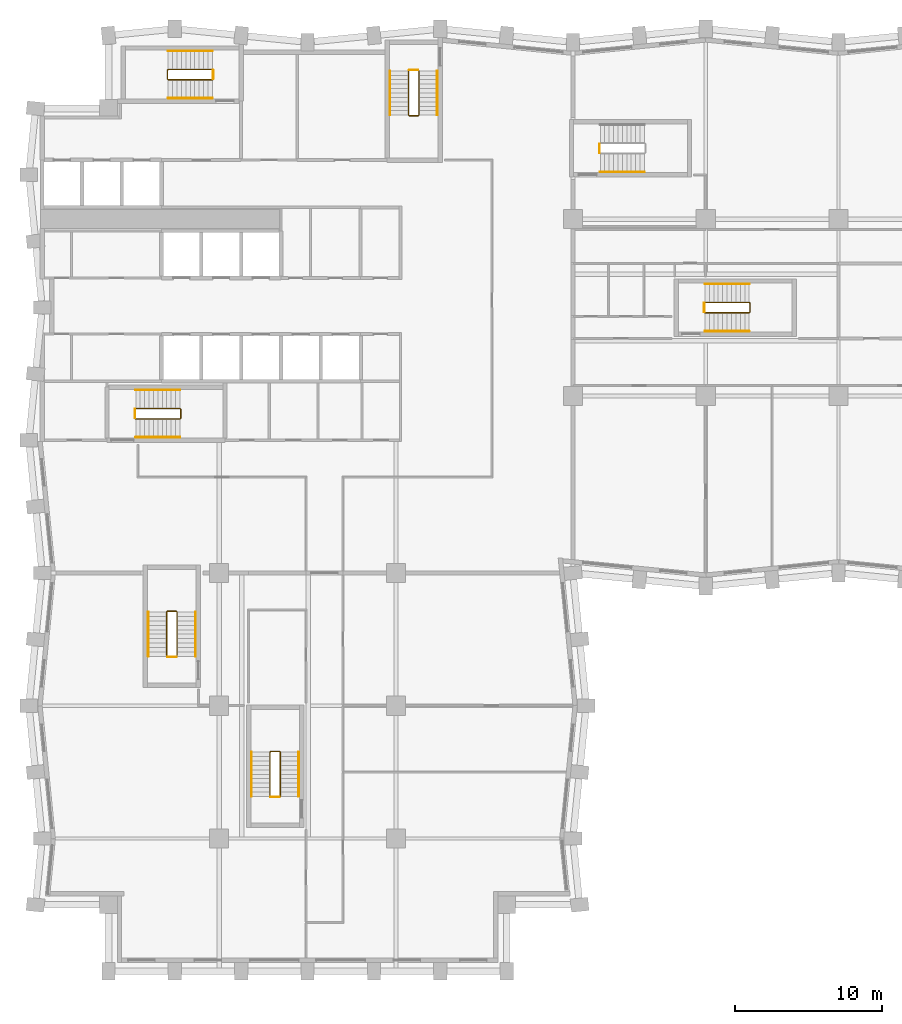
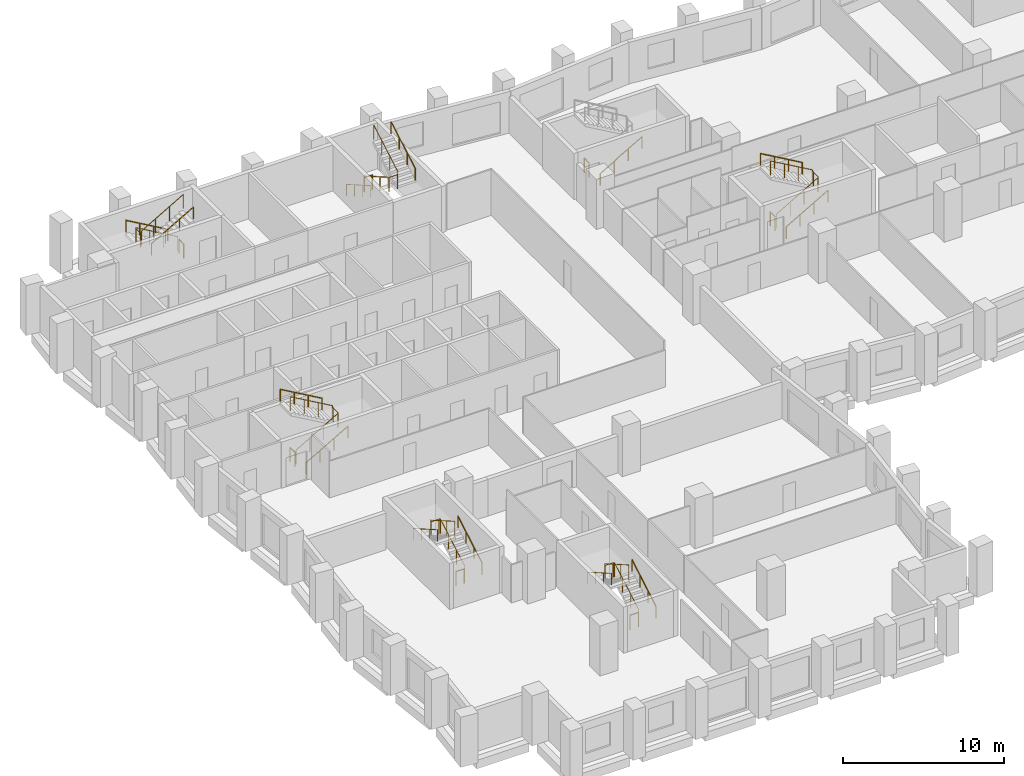
# One storey, part 10 of 11: 26 railings.
"""IFC4 building model written with IfcOpenShell, lengths in metres."""

from ifc_helpers import new_model, si_unit, direction, frame, origin, origin_2d, place, context, subcontext, project, spatial, circle, extrude, material, type_object, element, save


model = new_model("IFC4")

# Units and contexts
model_context = context("Model", 3, precision=1e-05, world=origin(), true_north=direction((0.0, 1.0)))
body_context = subcontext(model_context, "Body", "Model", "MODEL_VIEW")
ifc_project = project(units=[si_unit("LENGTHUNIT", "METRE"), si_unit("AREAUNIT", "SQUARE_METRE"), si_unit("VOLUMEUNIT", "CUBIC_METRE"), si_unit("PLANEANGLEUNIT", "RADIAN"), si_unit("MASSUNIT", "GRAM", prefix="KILO")], contexts=[model_context])

# Site, building, storey
site_placement = place(None, origin())
site = spatial("IfcSite", under=ifc_project, at=site_placement, CompositionType="ELEMENT")
building_placement = place(site_placement, origin())
building = spatial("IfcBuilding", under=site, at=building_placement, Name="Brondeck Convention Tower", CompositionType="ELEMENT")
storey_placement = place(building_placement, frame((0.0, 0.0, 96.10009765625)))
storey = spatial("IfcBuildingStorey", under=building, at=storey_placement, Name="L22", CompositionType="ELEMENT", Elevation=96.10009765625)

# Railings
ifc_material = material(Name="Steel S355", Category="steel")
railing_type_1 = type_object("IfcRailingType", Name="Stair guard 1100", PredefinedType="GUARDRAIL", material=ifc_material)
railing_1_placement = place(storey_placement, frame((6.35009765625, 37.449951171875, 0.172607421875)))
element("IfcRailing", 1, at=railing_1_placement, inside=storey, type_object=railing_type_1, Name="L22 ST-1 stair guard 1", PredefinedType="GUARDRAIL", context=body_context, shape_type="SweptSolid", body=[
    extrude(circle(Radius=0.02392578125, at=origin_2d()), frame((0.0, 0.0, 1.076171875), z_axis=(0.866619684472, 0.0, 0.498969260062), x_axis=(0.0, 1.0, 0.0)), (0.0, 0.0, 1.0), 3.461669921875),
    extrude(circle(Radius=0.02392578125, at=origin_2d()), frame((3.0, 0.0, 2.80322265625), z_axis=(0.705375805398, 0.708833529934, 0.0), x_axis=(-0.708833529934, 0.705375805398, 0.0)), (0.0, 0.0, 1.0), 0.070556640625),
    extrude(circle(Radius=0.02392578125, at=origin_2d()), frame((3.0498046875, 0.050048828125, 2.80322265625), z_axis=(0.0, 1.0, 0.0), x_axis=(-1.0, 0.0, 0.0)), (0.0, 0.0, 1.0), 0.60009765625),
    extrude(circle(Radius=0.02392578125, at=origin_2d()), frame((3.0498046875, 0.650146484375, 2.80322265625), z_axis=(-0.26715648603, 0.26715648603, 0.925880566782), x_axis=(-0.707106781187, -0.707106781187, 0.0)), (0.0, 0.0, 1.0), 0.1865234375),
    extrude(circle(Radius=0.02392578125, at=origin_2d()), frame((3.0, 0.699951171875, 2.97607421875), z_axis=(-0.866619684472, 0.0, 0.498969260062), x_axis=(0.0, -1.0, 0.0)), (0.0, 0.0, 1.0), 3.461669921875),
    extrude(circle(Radius=0.02099609375, at=origin_2d()), origin(), (0.0, 0.0, 1.0), 1.052001953125),
    extrude(circle(Radius=0.02099609375, at=origin_2d()), frame((1.0, 0.0, 0.57568359375)), (0.0, 0.0, 1.0), 1.052001953125),
    extrude(circle(Radius=0.02099609375, at=origin_2d()), frame((2.0, 0.0, 1.151611328125)), (0.0, 0.0, 1.0), 1.052001953125),
    extrude(circle(Radius=0.02099609375, at=origin_2d()), frame((3.0, 0.0, 1.727294921875)), (0.0, 0.0, 1.0), 1.052001953125),
    extrude(circle(Radius=0.02099609375, at=origin_2d()), frame((3.0498046875, 0.050048828125, 1.727294921875)), (0.0, 0.0, 1.0), 1.052001953125),
    extrude(circle(Radius=0.02099609375, at=origin_2d()), frame((3.0498046875, 0.650146484375, 1.727294921875)), (0.0, 0.0, 1.0), 1.052001953125),
    extrude(circle(Radius=0.02099609375, at=origin_2d()), frame((3.0, 0.699951171875, 1.89990234375)), (0.0, 0.0, 1.0), 1.052001953125),
    extrude(circle(Radius=0.02099609375, at=origin_2d()), frame((2.0, 0.699951171875, 2.4755859375)), (0.0, 0.0, 1.0), 1.052001953125),
    extrude(circle(Radius=0.02099609375, at=origin_2d()), frame((1.0, 0.699951171875, 3.051513671875)), (0.0, 0.0, 1.0), 1.052001953125),
    extrude(circle(Radius=0.02099609375, at=origin_2d()), frame((0.0, 0.699951171875, 3.627197265625)), (0.0, 0.0, 1.0), 1.052001953125),
])
railing_2_placement = place(storey_placement, frame((6.300048828125, 37.5, 0.0)))
element("IfcRailing", 2, at=railing_2_placement, inside=storey, type_object=railing_type_1, Name="L22 ST-1 stair guard 2", PredefinedType="GUARDRAIL", context=body_context, shape_type="SweptSolid", body=[
    extrude(circle(Radius=0.02392578125, at=origin_2d()), frame((0.0, 0.0, 1.076171875), z_axis=(0.0, 1.0, 0.0), x_axis=(-1.0, 0.0, 0.0)), (0.0, 0.0, 1.0), 0.60009765625),
    extrude(circle(Radius=0.02099609375, at=origin_2d()), origin(), (0.0, 0.0, 1.0), 1.052001953125),
    extrude(circle(Radius=0.02099609375, at=origin_2d()), frame((0.0, 0.60009765625, 0.0)), (0.0, 0.0, 1.0), 1.052001953125),
])
railing_3_placement = place(storey_placement, frame((24.85009765625, 61.050048828125, 0.172607421875)))
element("IfcRailing", 3, at=railing_3_placement, inside=storey, type_object=railing_type_1, Name="L22 ST-2 stair guard 1", PredefinedType="GUARDRAIL", context=body_context, shape_type="SweptSolid", body=[
    extrude(circle(Radius=0.02392578125, at=origin_2d()), frame((0.0, 0.0, 1.076171875), z_axis=(0.0, -0.866619684472, 0.498969260062), x_axis=(1.0, 0.0, 0.0)), (0.0, 0.0, 1.0), 3.461669921875),
    extrude(circle(Radius=0.02392578125, at=origin_2d()), frame((0.0, -3.0, 2.80322265625), z_axis=(0.705375805398, -0.708833529934, 0.0), x_axis=(0.708833529934, 0.705375805398, 0.0)), (0.0, 0.0, 1.0), 0.070556640625),
    extrude(circle(Radius=0.02392578125, at=origin_2d()), frame((0.0498046875, -3.050048828125, 2.80322265625), z_axis=(1.0, 0.0, 0.0), x_axis=(0.0, 1.0, 0.0)), (0.0, 0.0, 1.0), 0.60009765625),
    extrude(circle(Radius=0.02392578125, at=origin_2d()), frame((0.64990234375, -3.050048828125, 2.80322265625), z_axis=(0.268277960024, 0.268277960024, 0.925231793839), x_axis=(-0.707106781187, 0.707106781187, 0.0)), (0.0, 0.0, 1.0), 0.1865234375),
    extrude(circle(Radius=0.02392578125, at=origin_2d()), frame((0.699951171875, -3.0, 2.97607421875), z_axis=(0.0, 0.866619684472, 0.498969260062), x_axis=(-1.0, 0.0, 0.0)), (0.0, 0.0, 1.0), 3.461669921875),
    extrude(circle(Radius=0.02099609375, at=origin_2d()), origin(), (0.0, 0.0, 1.0), 1.052001953125),
    extrude(circle(Radius=0.02099609375, at=origin_2d()), frame((0.0, -1.0, 0.57568359375)), (0.0, 0.0, 1.0), 1.052001953125),
    extrude(circle(Radius=0.02099609375, at=origin_2d()), frame((0.0, -2.0, 1.151611328125)), (0.0, 0.0, 1.0), 1.052001953125),
    extrude(circle(Radius=0.02099609375, at=origin_2d()), frame((0.0, -3.0, 1.727294921875)), (0.0, 0.0, 1.0), 1.052001953125),
    extrude(circle(Radius=0.02099609375, at=origin_2d()), frame((0.0498046875, -3.050048828125, 1.727294921875)), (0.0, 0.0, 1.0), 1.052001953125),
    extrude(circle(Radius=0.02099609375, at=origin_2d()), frame((0.64990234375, -3.050048828125, 1.727294921875)), (0.0, 0.0, 1.0), 1.052001953125),
    extrude(circle(Radius=0.02099609375, at=origin_2d()), frame((0.699951171875, -3.0, 1.89990234375)), (0.0, 0.0, 1.0), 1.052001953125),
    extrude(circle(Radius=0.02099609375, at=origin_2d()), frame((0.699951171875, -2.0, 2.4755859375)), (0.0, 0.0, 1.0), 1.052001953125),
    extrude(circle(Radius=0.02099609375, at=origin_2d()), frame((0.699951171875, -1.0, 3.051513671875)), (0.0, 0.0, 1.0), 1.052001953125),
    extrude(circle(Radius=0.02099609375, at=origin_2d()), frame((0.699951171875, 0.0, 3.627197265625)), (0.0, 0.0, 1.0), 1.052001953125),
])
railing_4_placement = place(storey_placement, frame((24.89990234375, 61.10009765625, 0.0)))
element("IfcRailing", 4, at=railing_4_placement, inside=storey, type_object=railing_type_1, Name="L22 ST-2 stair guard 2", PredefinedType="GUARDRAIL", context=body_context, shape_type="SweptSolid", body=[
    extrude(circle(Radius=0.02392578125, at=origin_2d()), frame((0.0, 0.0, 1.076171875), z_axis=(1.0, 0.0, 0.0), x_axis=(0.0, 1.0, 0.0)), (0.0, 0.0, 1.0), 0.60009765625),
    extrude(circle(Radius=0.02099609375, at=origin_2d()), origin(), (0.0, 0.0, 1.0), 1.052001953125),
    extrude(circle(Radius=0.02099609375, at=origin_2d()), frame((0.60009765625, 0.0, 0.0)), (0.0, 0.0, 1.0), 1.052001953125),
])
railing_5_placement = place(storey_placement, frame((11.550048828125, 61.14990234375, 0.172607421875)))
element("IfcRailing", 5, at=railing_5_placement, inside=storey, type_object=railing_type_1, Name="L22 ST-3 stair guard 1", PredefinedType="GUARDRAIL", context=body_context, shape_type="SweptSolid", body=[
    extrude(circle(Radius=0.02392578125, at=origin_2d()), frame((0.0, 0.0, 1.076171875), z_axis=(-0.866619684472, 0.0, 0.498969260062), x_axis=(0.0, -1.0, 0.0)), (0.0, 0.0, 1.0), 3.461669921875),
    extrude(circle(Radius=0.02392578125, at=origin_2d()), frame((-3.0, 0.0, 2.80322265625), z_axis=(-0.708833529934, -0.705375805398, 0.0), x_axis=(0.705375805398, -0.708833529934, 0.0)), (0.0, 0.0, 1.0), 0.070556640625),
    extrude(circle(Radius=0.02392578125, at=origin_2d()), frame((-3.050048828125, -0.0498046875, 2.80322265625), z_axis=(0.0, -1.0, 0.0), x_axis=(1.0, 0.0, 0.0)), (0.0, 0.0, 1.0), 0.60009765625),
    extrude(circle(Radius=0.02392578125, at=origin_2d()), frame((-3.050048828125, -0.64990234375, 2.80322265625), z_axis=(0.268277960024, -0.268277960024, 0.925231793839), x_axis=(0.707106781187, 0.707106781187, 0.0)), (0.0, 0.0, 1.0), 0.1865234375),
    extrude(circle(Radius=0.02392578125, at=origin_2d()), frame((-3.0, -0.699951171875, 2.97607421875), z_axis=(0.866619684472, 0.0, 0.498969260062), x_axis=(0.0, 1.0, 0.0)), (0.0, 0.0, 1.0), 3.461669921875),
    extrude(circle(Radius=0.02099609375, at=origin_2d()), origin(), (0.0, 0.0, 1.0), 1.052001953125),
    extrude(circle(Radius=0.02099609375, at=origin_2d()), frame((-1.0, 0.0, 0.57568359375)), (0.0, 0.0, 1.0), 1.052001953125),
    extrude(circle(Radius=0.02099609375, at=origin_2d()), frame((-2.0, 0.0, 1.151611328125)), (0.0, 0.0, 1.0), 1.052001953125),
    extrude(circle(Radius=0.02099609375, at=origin_2d()), frame((-3.0, 0.0, 1.727294921875)), (0.0, 0.0, 1.0), 1.052001953125),
    extrude(circle(Radius=0.02099609375, at=origin_2d()), frame((-3.050048828125, -0.0498046875, 1.727294921875)), (0.0, 0.0, 1.0), 1.052001953125),
    extrude(circle(Radius=0.02099609375, at=origin_2d()), frame((-3.050048828125, -0.64990234375, 1.727294921875)), (0.0, 0.0, 1.0), 1.052001953125),
    extrude(circle(Radius=0.02099609375, at=origin_2d()), frame((-3.0, -0.699951171875, 1.89990234375)), (0.0, 0.0, 1.0), 1.052001953125),
    extrude(circle(Radius=0.02099609375, at=origin_2d()), frame((-2.0, -0.699951171875, 2.4755859375)), (0.0, 0.0, 1.0), 1.052001953125),
    extrude(circle(Radius=0.02099609375, at=origin_2d()), frame((-1.0, -0.699951171875, 3.051513671875)), (0.0, 0.0, 1.0), 1.052001953125),
    extrude(circle(Radius=0.02099609375, at=origin_2d()), frame((0.0, -0.699951171875, 3.627197265625)), (0.0, 0.0, 1.0), 1.052001953125),
])
railing_6_placement = place(storey_placement, frame((11.60009765625, 61.10009765625, 0.0)))
element("IfcRailing", 6, at=railing_6_placement, inside=storey, type_object=railing_type_1, Name="L22 ST-3 stair guard 2", PredefinedType="GUARDRAIL", context=body_context, shape_type="SweptSolid", body=[
    extrude(circle(Radius=0.02392578125, at=origin_2d()), frame((0.0, 0.0, 1.076171875), z_axis=(0.0, -1.0, 0.0), x_axis=(1.0, 0.0, 0.0)), (0.0, 0.0, 1.0), 0.60009765625),
    extrude(circle(Radius=0.02099609375, at=origin_2d()), origin(), (0.0, 0.0, 1.0), 1.052001953125),
    extrude(circle(Radius=0.02099609375, at=origin_2d()), frame((0.0, -0.60009765625, 0.0)), (0.0, 0.0, 1.0), 1.052001953125),
])
railing_7_placement = place(storey_placement, frame((37.800048828125, 55.5, 0.0)))
element("IfcRailing", 7, at=railing_7_placement, inside=storey, type_object=railing_type_1, Name="L22 ST-AE stair guard 2", PredefinedType="GUARDRAIL", context=body_context, shape_type="SweptSolid", body=[
    extrude(circle(Radius=0.02392578125, at=origin_2d()), frame((0.0, 0.0, 1.076171875), z_axis=(0.0, 1.0, 0.0), x_axis=(-1.0, 0.0, 0.0)), (0.0, 0.0, 1.0), 0.60009765625),
    extrude(circle(Radius=0.02099609375, at=origin_2d()), origin(), (0.0, 0.0, 1.0), 1.052001953125),
    extrude(circle(Radius=0.02099609375, at=origin_2d()), frame((0.0, 0.60009765625, 0.0)), (0.0, 0.0, 1.0), 1.052001953125),
])
railing_8_placement = place(storey_placement, frame((9.14990234375, 21.35009765625, 0.172607421875)))
element("IfcRailing", 8, at=railing_8_placement, inside=storey, type_object=railing_type_1, Name="L22 ST-BE stair guard 1", PredefinedType="GUARDRAIL", context=body_context, shape_type="SweptSolid", body=[
    extrude(circle(Radius=0.02392578125, at=origin_2d()), frame((0.0, 0.0, 1.076171875), z_axis=(0.0, 0.866619684472, 0.498969260062), x_axis=(-1.0, 0.0, 0.0)), (0.0, 0.0, 1.0), 3.461669921875),
    extrude(circle(Radius=0.02392578125, at=origin_2d()), frame((0.0, 3.0, 2.80322265625), z_axis=(-0.707106781187, 0.707106781187, 0.0), x_axis=(-0.707106781187, -0.707106781187, 0.0)), (0.0, 0.0, 1.0), 0.0703125),
    extrude(circle(Radius=0.02392578125, at=origin_2d()), frame((-0.0498046875, 3.0498046875, 2.80322265625), z_axis=(-1.0, 0.0, 0.0), x_axis=(0.0, -1.0, 0.0)), (0.0, 0.0, 1.0), 0.60009765625),
    extrude(circle(Radius=0.02392578125, at=origin_2d()), frame((-0.64990234375, 3.0498046875, 2.80322265625), z_axis=(-0.268371968888, -0.267062837333, 0.925556009775), x_axis=(0.705375805398, -0.708833529934, 0.0)), (0.0, 0.0, 1.0), 0.1865234375),
    extrude(circle(Radius=0.02392578125, at=origin_2d()), frame((-0.699951171875, 3.0, 2.97607421875), z_axis=(0.0, -0.866619684472, 0.498969260062), x_axis=(1.0, 0.0, 0.0)), (0.0, 0.0, 1.0), 3.461669921875),
    extrude(circle(Radius=0.02099609375, at=origin_2d()), origin(), (0.0, 0.0, 1.0), 1.052001953125),
    extrude(circle(Radius=0.02099609375, at=origin_2d()), frame((0.0, 1.0, 0.57568359375)), (0.0, 0.0, 1.0), 1.052001953125),
    extrude(circle(Radius=0.02099609375, at=origin_2d()), frame((0.0, 2.0, 1.151611328125)), (0.0, 0.0, 1.0), 1.052001953125),
    extrude(circle(Radius=0.02099609375, at=origin_2d()), frame((0.0, 3.0, 1.727294921875)), (0.0, 0.0, 1.0), 1.052001953125),
    extrude(circle(Radius=0.02099609375, at=origin_2d()), frame((-0.0498046875, 3.0498046875, 1.727294921875)), (0.0, 0.0, 1.0), 1.052001953125),
    extrude(circle(Radius=0.02099609375, at=origin_2d()), frame((-0.64990234375, 3.0498046875, 1.727294921875)), (0.0, 0.0, 1.0), 1.052001953125),
    extrude(circle(Radius=0.02099609375, at=origin_2d()), frame((-0.699951171875, 3.0, 1.89990234375)), (0.0, 0.0, 1.0), 1.052001953125),
    extrude(circle(Radius=0.02099609375, at=origin_2d()), frame((-0.699951171875, 2.0, 2.4755859375)), (0.0, 0.0, 1.0), 1.052001953125),
    extrude(circle(Radius=0.02099609375, at=origin_2d()), frame((-0.699951171875, 1.0, 3.051513671875)), (0.0, 0.0, 1.0), 1.052001953125),
    extrude(circle(Radius=0.02099609375, at=origin_2d()), frame((-0.699951171875, 0.0, 3.627197265625)), (0.0, 0.0, 1.0), 1.052001953125),
])
railing_9_placement = place(storey_placement, frame((9.10009765625, 21.300048828125, 0.0)))
element("IfcRailing", 9, at=railing_9_placement, inside=storey, type_object=railing_type_1, Name="L22 ST-BE stair guard 2", PredefinedType="GUARDRAIL", context=body_context, shape_type="SweptSolid", body=[
    extrude(circle(Radius=0.02392578125, at=origin_2d()), frame((0.0, 0.0, 1.076171875), z_axis=(-1.0, 0.0, 0.0), x_axis=(0.0, -1.0, 0.0)), (0.0, 0.0, 1.0), 0.60009765625),
    extrude(circle(Radius=0.02099609375, at=origin_2d()), origin(), (0.0, 0.0, 1.0), 1.052001953125),
    extrude(circle(Radius=0.02099609375, at=origin_2d()), frame((-0.60009765625, 0.0, 0.0)), (0.0, 0.0, 1.0), 1.052001953125),
])
railing_10_placement = place(storey_placement, frame((44.949951171875, 44.64990234375, 0.172607421875)))
element("IfcRailing", 10, at=railing_10_placement, inside=storey, type_object=railing_type_1, Name="L22 ST-AF stair guard 1", PredefinedType="GUARDRAIL", context=body_context, shape_type="SweptSolid", body=[
    extrude(circle(Radius=0.02392578125, at=origin_2d()), frame((0.0, 0.0, 1.076171875), z_axis=(0.866619684472, 0.0, 0.498969260062), x_axis=(0.0, 1.0, 0.0)), (0.0, 0.0, 1.0), 3.461669921875),
    extrude(circle(Radius=0.02392578125, at=origin_2d()), frame((3.0, 0.0, 2.80322265625), z_axis=(0.707106781187, 0.707106781187, 0.0), x_axis=(-0.707106781187, 0.707106781187, 0.0)), (0.0, 0.0, 1.0), 0.07080078125),
    extrude(circle(Radius=0.02392578125, at=origin_2d()), frame((3.050048828125, 0.050048828125, 2.80322265625), z_axis=(0.0, 1.0, 0.0), x_axis=(-1.0, 0.0, 0.0)), (0.0, 0.0, 1.0), 0.60009765625),
    extrude(circle(Radius=0.02392578125, at=origin_2d()), frame((3.050048828125, 0.650146484375, 2.80322265625), z_axis=(-0.268277960024, 0.268277960024, 0.925231793839), x_axis=(-0.707106781187, -0.707106781187, 0.0)), (0.0, 0.0, 1.0), 0.1865234375),
    extrude(circle(Radius=0.02392578125, at=origin_2d()), frame((3.0, 0.7001953125, 2.97607421875), z_axis=(-0.866619684472, 0.0, 0.498969260062), x_axis=(0.0, -1.0, 0.0)), (0.0, 0.0, 1.0), 3.461669921875),
    extrude(circle(Radius=0.02099609375, at=origin_2d()), origin(), (0.0, 0.0, 1.0), 1.052001953125),
    extrude(circle(Radius=0.02099609375, at=origin_2d()), frame((1.0, 0.0, 0.57568359375)), (0.0, 0.0, 1.0), 1.052001953125),
    extrude(circle(Radius=0.02099609375, at=origin_2d()), frame((2.0, 0.0, 1.151611328125)), (0.0, 0.0, 1.0), 1.052001953125),
    extrude(circle(Radius=0.02099609375, at=origin_2d()), frame((3.0, 0.0, 1.727294921875)), (0.0, 0.0, 1.0), 1.052001953125),
    extrude(circle(Radius=0.02099609375, at=origin_2d()), frame((3.050048828125, 0.050048828125, 1.727294921875)), (0.0, 0.0, 1.0), 1.052001953125),
    extrude(circle(Radius=0.02099609375, at=origin_2d()), frame((3.050048828125, 0.650146484375, 1.727294921875)), (0.0, 0.0, 1.0), 1.052001953125),
    extrude(circle(Radius=0.02099609375, at=origin_2d()), frame((3.0, 0.7001953125, 1.89990234375)), (0.0, 0.0, 1.0), 1.052001953125),
    extrude(circle(Radius=0.02099609375, at=origin_2d()), frame((2.0, 0.7001953125, 2.4755859375)), (0.0, 0.0, 1.0), 1.052001953125),
    extrude(circle(Radius=0.02099609375, at=origin_2d()), frame((1.0, 0.7001953125, 3.051513671875)), (0.0, 0.0, 1.0), 1.052001953125),
    extrude(circle(Radius=0.02099609375, at=origin_2d()), frame((0.0, 0.7001953125, 3.627197265625)), (0.0, 0.0, 1.0), 1.052001953125),
])
railing_11_placement = place(storey_placement, frame((44.89990234375, 44.699951171875, 0.0)))
element("IfcRailing", 11, at=railing_11_placement, inside=storey, type_object=railing_type_1, Name="L22 ST-AF stair guard 2", PredefinedType="GUARDRAIL", context=body_context, shape_type="SweptSolid", body=[
    extrude(circle(Radius=0.02392578125, at=origin_2d()), frame((0.0, 0.0, 1.076171875), z_axis=(0.0, 1.0, 0.0), x_axis=(-1.0, 0.0, 0.0)), (0.0, 0.0, 1.0), 0.60009765625),
    extrude(circle(Radius=0.02099609375, at=origin_2d()), origin(), (0.0, 0.0, 1.0), 1.052001953125),
    extrude(circle(Radius=0.02099609375, at=origin_2d()), frame((0.0, 0.60009765625, 0.0)), (0.0, 0.0, 1.0), 1.052001953125),
])
railing_12_placement = place(storey_placement, frame((16.14990234375, 11.85009765625, 0.172607421875)))
element("IfcRailing", 12, at=railing_12_placement, inside=storey, type_object=railing_type_1, Name="L22 ST-BF stair guard 1", PredefinedType="GUARDRAIL", context=body_context, shape_type="SweptSolid", body=[
    extrude(circle(Radius=0.02392578125, at=origin_2d()), frame((0.0, 0.0, 1.076171875), z_axis=(0.0, 0.866619684472, 0.498969260062), x_axis=(-1.0, 0.0, 0.0)), (0.0, 0.0, 1.0), 3.461669921875),
    extrude(circle(Radius=0.02392578125, at=origin_2d()), frame((0.0, 3.0, 2.80322265625), z_axis=(-0.707106781187, 0.707106781187, 0.0), x_axis=(-0.707106781187, -0.707106781187, 0.0)), (0.0, 0.0, 1.0), 0.0703125),
    extrude(circle(Radius=0.02392578125, at=origin_2d()), frame((-0.0498046875, 3.0498046875, 2.80322265625), z_axis=(-1.0, 0.0, 0.0), x_axis=(0.0, -1.0, 0.0)), (0.0, 0.0, 1.0), 0.60009765625),
    extrude(circle(Radius=0.02392578125, at=origin_2d()), frame((-0.64990234375, 3.0498046875, 2.80322265625), z_axis=(-0.268371968888, -0.267062837333, 0.925556009775), x_axis=(0.705375805398, -0.708833529934, 0.0)), (0.0, 0.0, 1.0), 0.1865234375),
    extrude(circle(Radius=0.02392578125, at=origin_2d()), frame((-0.699951171875, 3.0, 2.97607421875), z_axis=(0.0, -0.866619684472, 0.498969260062), x_axis=(1.0, 0.0, 0.0)), (0.0, 0.0, 1.0), 3.461669921875),
    extrude(circle(Radius=0.02099609375, at=origin_2d()), origin(), (0.0, 0.0, 1.0), 1.052001953125),
    extrude(circle(Radius=0.02099609375, at=origin_2d()), frame((0.0, 1.0, 0.57568359375)), (0.0, 0.0, 1.0), 1.052001953125),
    extrude(circle(Radius=0.02099609375, at=origin_2d()), frame((0.0, 2.0, 1.151611328125)), (0.0, 0.0, 1.0), 1.052001953125),
    extrude(circle(Radius=0.02099609375, at=origin_2d()), frame((0.0, 3.0, 1.727294921875)), (0.0, 0.0, 1.0), 1.052001953125),
    extrude(circle(Radius=0.02099609375, at=origin_2d()), frame((-0.0498046875, 3.0498046875, 1.727294921875)), (0.0, 0.0, 1.0), 1.052001953125),
    extrude(circle(Radius=0.02099609375, at=origin_2d()), frame((-0.64990234375, 3.0498046875, 1.727294921875)), (0.0, 0.0, 1.0), 1.052001953125),
    extrude(circle(Radius=0.02099609375, at=origin_2d()), frame((-0.699951171875, 3.0, 1.89990234375)), (0.0, 0.0, 1.0), 1.052001953125),
    extrude(circle(Radius=0.02099609375, at=origin_2d()), frame((-0.699951171875, 2.0, 2.4755859375)), (0.0, 0.0, 1.0), 1.052001953125),
    extrude(circle(Radius=0.02099609375, at=origin_2d()), frame((-0.699951171875, 1.0, 3.051513671875)), (0.0, 0.0, 1.0), 1.052001953125),
    extrude(circle(Radius=0.02099609375, at=origin_2d()), frame((-0.699951171875, 0.0, 3.627197265625)), (0.0, 0.0, 1.0), 1.052001953125),
])
railing_13_placement = place(storey_placement, frame((16.10009765625, 11.800048828125, 0.0)))
element("IfcRailing", 13, at=railing_13_placement, inside=storey, type_object=railing_type_1, Name="L22 ST-BF stair guard 2", PredefinedType="GUARDRAIL", context=body_context, shape_type="SweptSolid", body=[
    extrude(circle(Radius=0.02392578125, at=origin_2d()), frame((0.0, 0.0, 1.076171875), z_axis=(-1.0, 0.0, 0.0), x_axis=(0.0, -1.0, 0.0)), (0.0, 0.0, 1.0), 0.60009765625),
    extrude(circle(Radius=0.02099609375, at=origin_2d()), origin(), (0.0, 0.0, 1.0), 1.052001953125),
    extrude(circle(Radius=0.02099609375, at=origin_2d()), frame((-0.60009765625, 0.0, 0.0)), (0.0, 0.0, 1.0), 1.052001953125),
])
railing_type_2 = type_object("IfcRailingType", Name="Stair handrail", PredefinedType="HANDRAIL", material=ifc_material)
railing_14_placement = place(storey_placement, frame((6.35009765625, 36.199951171875, 0.172607421875)))
element("IfcRailing", 14, at=railing_14_placement, inside=storey, type_object=railing_type_2, Name="L22 ST-1 stair handrail 1", PredefinedType="HANDRAIL", context=body_context, shape_type="SweptSolid", body=[
    extrude(circle(Radius=0.02392578125, at=origin_2d()), frame((0.0, 0.0, 0.8759765625), z_axis=(0.866619684472, 0.0, 0.498969260062), x_axis=(0.0, 1.0, 0.0)), (0.0, 0.0, 1.0), 3.461669921875),
    extrude(circle(Radius=0.02099609375, at=origin_2d()), origin(), (0.0, 0.0, 1.0), 0.851806640625),
    extrude(circle(Radius=0.02099609375, at=origin_2d()), frame((1.0, 0.0, 0.57568359375)), (0.0, 0.0, 1.0), 0.851806640625),
    extrude(circle(Radius=0.02099609375, at=origin_2d()), frame((2.0, 0.0, 1.151611328125)), (0.0, 0.0, 1.0), 0.851806640625),
    extrude(circle(Radius=0.02099609375, at=origin_2d()), frame((3.0, 0.0, 1.727294921875)), (0.0, 0.0, 1.0), 0.851806640625),
])
railing_15_placement = place(storey_placement, frame((9.35009765625, 39.39990234375, 2.072509765625)))
element("IfcRailing", 15, at=railing_15_placement, inside=storey, type_object=railing_type_2, Name="L22 ST-1 stair handrail 2", PredefinedType="HANDRAIL", context=body_context, shape_type="SweptSolid", body=[
    extrude(circle(Radius=0.02392578125, at=origin_2d()), frame((0.0, 0.0, 0.8759765625), z_axis=(-0.866619684472, 0.0, 0.498969260062), x_axis=(0.0, -1.0, 0.0)), (0.0, 0.0, 1.0), 3.461669921875),
    extrude(circle(Radius=0.02099609375, at=origin_2d()), origin(), (0.0, 0.0, 1.0), 0.851806640625),
    extrude(circle(Radius=0.02099609375, at=origin_2d()), frame((-1.0, 0.0, 0.57568359375)), (0.0, 0.0, 1.0), 0.851806640625),
    extrude(circle(Radius=0.02099609375, at=origin_2d()), frame((-2.0, 0.0, 1.151611328125)), (0.0, 0.0, 1.0), 0.851806640625),
    extrude(circle(Radius=0.02099609375, at=origin_2d()), frame((-3.0, 0.0, 1.727294921875)), (0.0, 0.0, 1.0), 0.851806640625),
])
railing_16_placement = place(storey_placement, frame((23.60009765625, 61.050048828125, 0.172607421875)))
element("IfcRailing", 16, at=railing_16_placement, inside=storey, type_object=railing_type_2, Name="L22 ST-2 stair handrail 1", PredefinedType="HANDRAIL", context=body_context, shape_type="SweptSolid", body=[
    extrude(circle(Radius=0.02392578125, at=origin_2d()), frame((0.0, 0.0, 0.8759765625), z_axis=(0.0, -0.866619684472, 0.498969260062), x_axis=(1.0, 0.0, 0.0)), (0.0, 0.0, 1.0), 3.461669921875),
    extrude(circle(Radius=0.02099609375, at=origin_2d()), origin(), (0.0, 0.0, 1.0), 0.851806640625),
    extrude(circle(Radius=0.02099609375, at=origin_2d()), frame((0.0, -1.0, 0.57568359375)), (0.0, 0.0, 1.0), 0.851806640625),
    extrude(circle(Radius=0.02099609375, at=origin_2d()), frame((0.0, -2.0, 1.151611328125)), (0.0, 0.0, 1.0), 0.851806640625),
    extrude(circle(Radius=0.02099609375, at=origin_2d()), frame((0.0, -3.0, 1.727294921875)), (0.0, 0.0, 1.0), 0.851806640625),
])
railing_17_placement = place(storey_placement, frame((26.800048828125, 58.050048828125, 2.072509765625)))
element("IfcRailing", 17, at=railing_17_placement, inside=storey, type_object=railing_type_2, Name="L22 ST-2 stair handrail 2", PredefinedType="HANDRAIL", context=body_context, shape_type="SweptSolid", body=[
    extrude(circle(Radius=0.02392578125, at=origin_2d()), frame((0.0, 0.0, 0.8759765625), z_axis=(0.0, 0.866619684472, 0.498969260062), x_axis=(-1.0, 0.0, 0.0)), (0.0, 0.0, 1.0), 3.461669921875),
    extrude(circle(Radius=0.02099609375, at=origin_2d()), origin(), (0.0, 0.0, 1.0), 0.851806640625),
    extrude(circle(Radius=0.02099609375, at=origin_2d()), frame((0.0, 1.0, 0.57568359375)), (0.0, 0.0, 1.0), 0.851806640625),
    extrude(circle(Radius=0.02099609375, at=origin_2d()), frame((0.0, 2.0, 1.151611328125)), (0.0, 0.0, 1.0), 0.851806640625),
    extrude(circle(Radius=0.02099609375, at=origin_2d()), frame((0.0, 3.0, 1.727294921875)), (0.0, 0.0, 1.0), 0.851806640625),
])
railing_18_placement = place(storey_placement, frame((11.550048828125, 62.39990234375, 0.172607421875)))
element("IfcRailing", 18, at=railing_18_placement, inside=storey, type_object=railing_type_2, Name="L22 ST-3 stair handrail 1", PredefinedType="HANDRAIL", context=body_context, shape_type="SweptSolid", body=[
    extrude(circle(Radius=0.02392578125, at=origin_2d()), frame((0.0, 0.0, 0.8759765625), z_axis=(-0.866619684472, 0.0, 0.498969260062), x_axis=(0.0, -1.0, 0.0)), (0.0, 0.0, 1.0), 3.461669921875),
    extrude(circle(Radius=0.02099609375, at=origin_2d()), origin(), (0.0, 0.0, 1.0), 0.851806640625),
    extrude(circle(Radius=0.02099609375, at=origin_2d()), frame((-1.0, 0.0, 0.57568359375)), (0.0, 0.0, 1.0), 0.851806640625),
    extrude(circle(Radius=0.02099609375, at=origin_2d()), frame((-2.0, 0.0, 1.151611328125)), (0.0, 0.0, 1.0), 0.851806640625),
    extrude(circle(Radius=0.02099609375, at=origin_2d()), frame((-3.0, 0.0, 1.727294921875)), (0.0, 0.0, 1.0), 0.851806640625),
])
for number, where, name in (
    (19, (8.550048828125, 59.199951171875, 2.072509765625), "L22 ST-3 stair handrail 2"),
    (20, (37.85009765625, 54.199951171875, 0.172607421875), "L22 ST-AE stair handrail 1"),
):
    element("IfcRailing", number, at=place(storey_placement, frame(where)), inside=storey, type_object=railing_type_2, Name=name, PredefinedType="HANDRAIL", context=body_context, shape_type="SweptSolid", body=[
        extrude(circle(Radius=0.02392578125, at=origin_2d()), frame((0.0, 0.0, 0.8759765625), z_axis=(0.866619684472, 0.0, 0.498969260062), x_axis=(0.0, 1.0, 0.0)), (0.0, 0.0, 1.0), 3.461669921875),
        extrude(circle(Radius=0.02099609375, at=origin_2d()), origin(), (0.0, 0.0, 1.0), 0.851806640625),
        extrude(circle(Radius=0.02099609375, at=origin_2d()), frame((1.0, 0.0, 0.57568359375)), (0.0, 0.0, 1.0), 0.851806640625),
        extrude(circle(Radius=0.02099609375, at=origin_2d()), frame((2.0, 0.0, 1.151611328125)), (0.0, 0.0, 1.0), 0.851806640625),
        extrude(circle(Radius=0.02099609375, at=origin_2d()), frame((3.0, 0.0, 1.727294921875)), (0.0, 0.0, 1.0), 0.851806640625),
    ])
railing_19_placement = place(storey_placement, frame((10.39990234375, 21.35009765625, 0.172607421875)))
element("IfcRailing", 21, at=railing_19_placement, inside=storey, type_object=railing_type_2, Name="L22 ST-BE stair handrail 1", PredefinedType="HANDRAIL", context=body_context, shape_type="SweptSolid", body=[
    extrude(circle(Radius=0.02392578125, at=origin_2d()), frame((0.0, 0.0, 0.8759765625), z_axis=(0.0, 0.866619684472, 0.498969260062), x_axis=(-1.0, 0.0, 0.0)), (0.0, 0.0, 1.0), 3.461669921875),
    extrude(circle(Radius=0.02099609375, at=origin_2d()), origin(), (0.0, 0.0, 1.0), 0.851806640625),
    extrude(circle(Radius=0.02099609375, at=origin_2d()), frame((0.0, 1.0, 0.57568359375)), (0.0, 0.0, 1.0), 0.851806640625),
    extrude(circle(Radius=0.02099609375, at=origin_2d()), frame((0.0, 2.0, 1.151611328125)), (0.0, 0.0, 1.0), 0.851806640625),
    extrude(circle(Radius=0.02099609375, at=origin_2d()), frame((0.0, 3.0, 1.727294921875)), (0.0, 0.0, 1.0), 0.851806640625),
])
railing_20_placement = place(storey_placement, frame((7.199951171875, 24.35009765625, 2.072509765625)))
element("IfcRailing", 22, at=railing_20_placement, inside=storey, type_object=railing_type_2, Name="L22 ST-BE stair handrail 2", PredefinedType="HANDRAIL", context=body_context, shape_type="SweptSolid", body=[
    extrude(circle(Radius=0.02392578125, at=origin_2d()), frame((0.0, 0.0, 0.8759765625), z_axis=(0.0, -0.866619684472, 0.498969260062), x_axis=(1.0, 0.0, 0.0)), (0.0, 0.0, 1.0), 3.461669921875),
    extrude(circle(Radius=0.02099609375, at=origin_2d()), origin(), (0.0, 0.0, 1.0), 0.851806640625),
    extrude(circle(Radius=0.02099609375, at=origin_2d()), frame((0.0, -1.0, 0.57568359375)), (0.0, 0.0, 1.0), 0.851806640625),
    extrude(circle(Radius=0.02099609375, at=origin_2d()), frame((0.0, -2.0, 1.151611328125)), (0.0, 0.0, 1.0), 0.851806640625),
    extrude(circle(Radius=0.02099609375, at=origin_2d()), frame((0.0, -3.0, 1.727294921875)), (0.0, 0.0, 1.0), 0.851806640625),
])
railing_21_placement = place(storey_placement, frame((44.949951171875, 43.39990234375, 0.172607421875)))
element("IfcRailing", 23, at=railing_21_placement, inside=storey, type_object=railing_type_2, Name="L22 ST-AF stair handrail 1", PredefinedType="HANDRAIL", context=body_context, shape_type="SweptSolid", body=[
    extrude(circle(Radius=0.02392578125, at=origin_2d()), frame((0.0, 0.0, 0.8759765625), z_axis=(0.866619684472, 0.0, 0.498969260062), x_axis=(0.0, 1.0, 0.0)), (0.0, 0.0, 1.0), 3.461669921875),
    extrude(circle(Radius=0.02099609375, at=origin_2d()), origin(), (0.0, 0.0, 1.0), 0.851806640625),
    extrude(circle(Radius=0.02099609375, at=origin_2d()), frame((1.0, 0.0, 0.57568359375)), (0.0, 0.0, 1.0), 0.851806640625),
    extrude(circle(Radius=0.02099609375, at=origin_2d()), frame((2.0, 0.0, 1.151611328125)), (0.0, 0.0, 1.0), 0.851806640625),
    extrude(circle(Radius=0.02099609375, at=origin_2d()), frame((3.0, 0.0, 1.727294921875)), (0.0, 0.0, 1.0), 0.851806640625),
])
railing_22_placement = place(storey_placement, frame((47.949951171875, 46.60009765625, 2.072509765625)))
element("IfcRailing", 24, at=railing_22_placement, inside=storey, type_object=railing_type_2, Name="L22 ST-AF stair handrail 2", PredefinedType="HANDRAIL", context=body_context, shape_type="SweptSolid", body=[
    extrude(circle(Radius=0.02392578125, at=origin_2d()), frame((0.0, 0.0, 0.8759765625), z_axis=(-0.866619684472, 0.0, 0.498969260062), x_axis=(0.0, -1.0, 0.0)), (0.0, 0.0, 1.0), 3.461669921875),
    extrude(circle(Radius=0.02099609375, at=origin_2d()), origin(), (0.0, 0.0, 1.0), 0.851806640625),
    extrude(circle(Radius=0.02099609375, at=origin_2d()), frame((-1.0, 0.0, 0.57568359375)), (0.0, 0.0, 1.0), 0.851806640625),
    extrude(circle(Radius=0.02099609375, at=origin_2d()), frame((-2.0, 0.0, 1.151611328125)), (0.0, 0.0, 1.0), 0.851806640625),
    extrude(circle(Radius=0.02099609375, at=origin_2d()), frame((-3.0, 0.0, 1.727294921875)), (0.0, 0.0, 1.0), 0.851806640625),
])
railing_23_placement = place(storey_placement, frame((17.39990234375, 11.85009765625, 0.172607421875)))
element("IfcRailing", 25, at=railing_23_placement, inside=storey, type_object=railing_type_2, Name="L22 ST-BF stair handrail 1", PredefinedType="HANDRAIL", context=body_context, shape_type="SweptSolid", body=[
    extrude(circle(Radius=0.02392578125, at=origin_2d()), frame((0.0, 0.0, 0.8759765625), z_axis=(0.0, 0.866619684472, 0.498969260062), x_axis=(-1.0, 0.0, 0.0)), (0.0, 0.0, 1.0), 3.461669921875),
    extrude(circle(Radius=0.02099609375, at=origin_2d()), origin(), (0.0, 0.0, 1.0), 0.851806640625),
    extrude(circle(Radius=0.02099609375, at=origin_2d()), frame((0.0, 1.0, 0.57568359375)), (0.0, 0.0, 1.0), 0.851806640625),
    extrude(circle(Radius=0.02099609375, at=origin_2d()), frame((0.0, 2.0, 1.151611328125)), (0.0, 0.0, 1.0), 0.851806640625),
    extrude(circle(Radius=0.02099609375, at=origin_2d()), frame((0.0, 3.0, 1.727294921875)), (0.0, 0.0, 1.0), 0.851806640625),
])
railing_24_placement = place(storey_placement, frame((14.199951171875, 14.85009765625, 2.072509765625)))
element("IfcRailing", 26, at=railing_24_placement, inside=storey, type_object=railing_type_2, Name="L22 ST-BF stair handrail 2", PredefinedType="HANDRAIL", context=body_context, shape_type="SweptSolid", body=[
    extrude(circle(Radius=0.02392578125, at=origin_2d()), frame((0.0, 0.0, 0.8759765625), z_axis=(0.0, -0.866619684472, 0.498969260062), x_axis=(1.0, 0.0, 0.0)), (0.0, 0.0, 1.0), 3.461669921875),
    extrude(circle(Radius=0.02099609375, at=origin_2d()), origin(), (0.0, 0.0, 1.0), 0.851806640625),
    extrude(circle(Radius=0.02099609375, at=origin_2d()), frame((0.0, -1.0, 0.57568359375)), (0.0, 0.0, 1.0), 0.851806640625),
    extrude(circle(Radius=0.02099609375, at=origin_2d()), frame((0.0, -2.0, 1.151611328125)), (0.0, 0.0, 1.0), 0.851806640625),
    extrude(circle(Radius=0.02099609375, at=origin_2d()), frame((0.0, -3.0, 1.727294921875)), (0.0, 0.0, 1.0), 0.851806640625),
])

save(model, "model.ifc")
